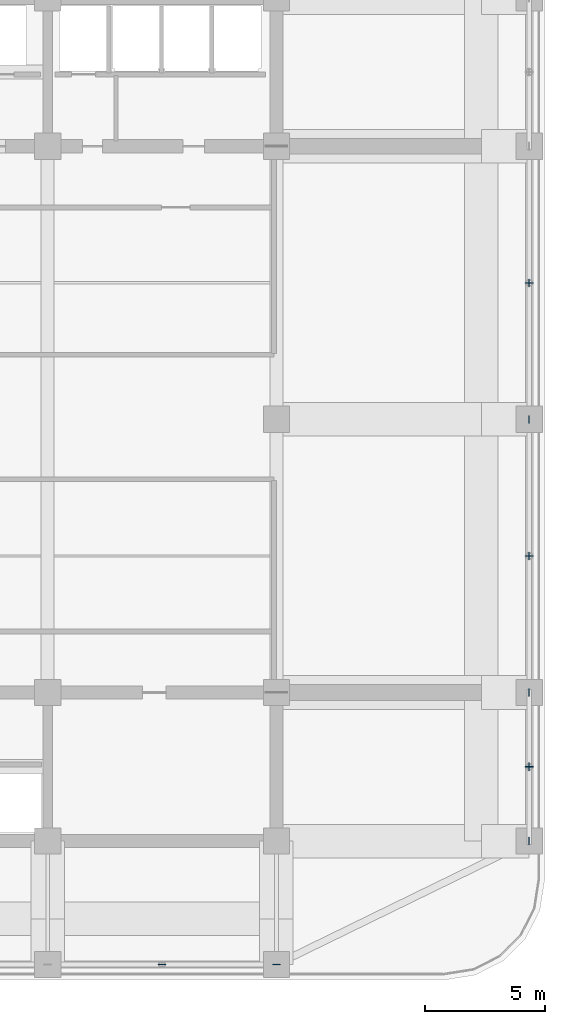
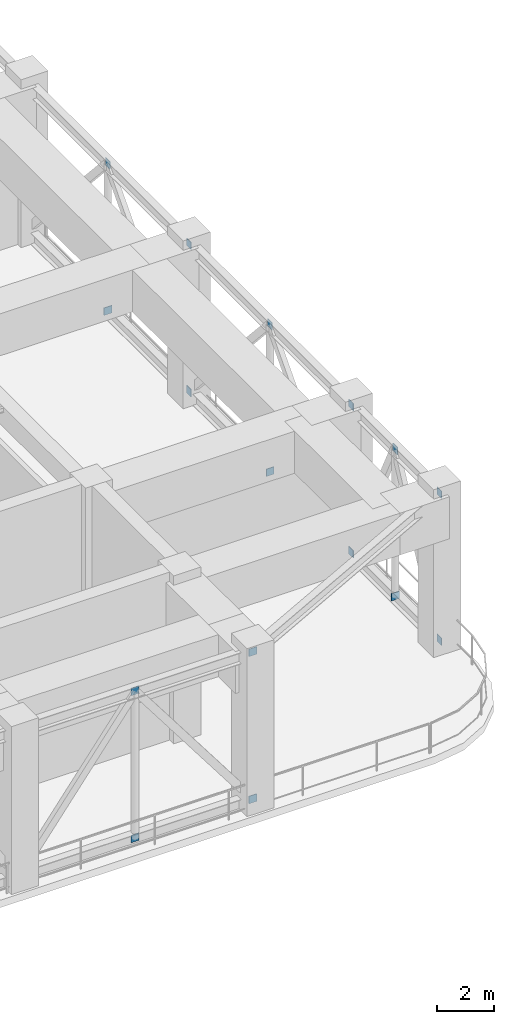
# One storey, part 15 of 20: 16 discrete accessories.
"""IFC4 building model written with IfcOpenShell, lengths in metres."""

from ifc_helpers import new_model, si_unit, direction, frame, origin, origin_2d, place, context, subcontext, project, spatial, rectangle, extrude, material, layer, layer_set, type_object, element, save


model = new_model("IFC4")

# Units and contexts
model_context = context("Model", 3, precision=1e-05, world=origin(), true_north=direction((0.0, 1.0)))
body_context = subcontext(model_context, "Body", "Model", "MODEL_VIEW")
ifc_project = project(units=[si_unit("LENGTHUNIT", "METRE"), si_unit("AREAUNIT", "SQUARE_METRE"), si_unit("VOLUMEUNIT", "CUBIC_METRE"), si_unit("PLANEANGLEUNIT", "RADIAN"), si_unit("MASSUNIT", "GRAM", prefix="KILO")], contexts=[model_context])

# Site, building, storey
site_placement = place(None, origin())
site = spatial("IfcSite", under=ifc_project, at=site_placement, CompositionType="ELEMENT")
building_placement = place(site_placement, origin())
building = spatial("IfcBuilding", under=site, at=building_placement, Name="Svetorya Sky Lyceum", CompositionType="ELEMENT")
storey_placement = place(building_placement, frame((0.0, 0.0, 136.39990234375)))
storey = spatial("IfcBuildingStorey", under=building, at=storey_placement, Name="L34", CompositionType="ELEMENT", Elevation=136.39990234375)

# Discrete accessories
ifc_material = material(Name="Steel S355", Category="steel")
ifc_layer = layer(ifc_material, 0.02392578125)
ifc_layer_set = layer_set([ifc_layer], Name="Steel S355")
discrete_accessory_type = type_object("IfcDiscreteAccessoryType", Name="ACC-GUSSET-24", PredefinedType="BRACKET", material=ifc_layer_set)
for number, where, z_axis, x_axis, name in (
    (1, (52.800048828125, 5.449951171875, 0.0859375), (0.0, 0.0, 1.0), (1.0, 0.0, 0.0), "L34 Brace Node Gusset Plate 75"),
    (2, (52.800048828125, 5.449951171875, 6.39404296875), (0.0, 0.0, 1.0), (1.0, 0.0, 0.0), "L34 Brace Node Gusset Plate 76"),
    (3, (48.02490234375, 5.449951171875, 6.39404296875), (0.0, 0.0, 1.0), (1.0, 0.0, 0.0), "L34 Brace Node Gusset Plate 77"),
    (4, (48.02490234375, 5.449951171875, 0.0859375), (0.0, 0.0, 1.0), (1.0, 0.0, 0.0), "L34 Brace Node Gusset Plate 78"),
):
    element("IfcDiscreteAccessory", number, at=place(storey_placement, frame(where, z_axis=z_axis, x_axis=x_axis)), inside=storey, type_object=discrete_accessory_type, Name=name, PredefinedType="BRACKET", context=body_context, shape_type="SweptSolid", body=[
        extrude(rectangle(XDim=0.320068359375, YDim=0.02392578125, at=origin_2d()), origin(), (0.0, 0.0, 1.0), 0.320068359375),
    ])
for number, where, z_axis, x_axis, name in (
    (5, (63.35009765625, 10.60009765625, 0.0859375), (0.0, 0.0, 1.0), (1.0, 0.0, 0.0), "L34 Brace Node Gusset Plate 111"),
    (6, (63.35009765625, 16.800048828125, 0.0859375), (0.0, 0.0, 1.0), (1.0, 0.0, 0.0), "L34 Brace Node Gusset Plate 112"),
    (7, (63.35009765625, 10.60009765625, 6.39404296875), (0.0, 0.0, 1.0), (1.0, 0.0, 0.0), "L34 Brace Node Gusset Plate 113"),
    (8, (63.35009765625, 16.800048828125, 6.39404296875), (0.0, 0.0, 1.0), (1.0, 0.0, 0.0), "L34 Brace Node Gusset Plate 114"),
    (9, (63.35009765625, 13.699951171875, 6.39404296875), (0.0, 0.0, 1.0), (1.0, 0.0, 0.0), "L34 Brace Node Gusset Plate 115"),
):
    element("IfcDiscreteAccessory", number, at=place(storey_placement, frame(where, z_axis=z_axis, x_axis=x_axis)), inside=storey, type_object=discrete_accessory_type, Name=name, PredefinedType="BRACKET", context=body_context, shape_type="SweptSolid", body=[
        extrude(rectangle(XDim=0.02392578125, YDim=0.320068359375, at=origin_2d()), origin(), (0.0, 0.0, 1.0), 0.320068359375),
    ])
discrete_accessory_1_placement = place(storey_placement, frame((63.35009765625, 13.699951171875, 0.0859375), z_axis=(0.0, 0.0, 1.0), x_axis=(1.0, 0.0, 0.0)))
element("IfcDiscreteAccessory", 10, at=discrete_accessory_1_placement, inside=storey, type_object=discrete_accessory_type, Name="L34 Brace Node Gusset Plate 116", PredefinedType="BRACKET", context=body_context, shape_type="SweptSolid", body=[
    extrude(rectangle(XDim=0.320068359375, YDim=0.02392578125, at=origin_2d()), origin(), (0.0, 0.0, 1.0), 0.320068359375),
])
for number, where, z_axis, x_axis, name in (
    (11, (63.35009765625, 28.199951171875, 0.0859375), (0.0, 0.0, 1.0), (1.0, 0.0, 0.0), "L34 Brace Node Gusset Plate 117"),
    (12, (63.35009765625, 28.199951171875, 6.39404296875), (0.0, 0.0, 1.0), (1.0, 0.0, 0.0), "L34 Brace Node Gusset Plate 118"),
    (13, (63.35009765625, 22.5, 6.39404296875), (0.0, 0.0, 1.0), (1.0, 0.0, 0.0), "L34 Brace Node Gusset Plate 119"),
):
    element("IfcDiscreteAccessory", number, at=place(storey_placement, frame(where, z_axis=z_axis, x_axis=x_axis)), inside=storey, type_object=discrete_accessory_type, Name=name, PredefinedType="BRACKET", context=body_context, shape_type="SweptSolid", body=[
        extrude(rectangle(XDim=0.02392578125, YDim=0.320068359375, at=origin_2d()), origin(), (0.0, 0.0, 1.0), 0.320068359375),
    ])
discrete_accessory_2_placement = place(storey_placement, frame((63.35009765625, 22.5, 0.0859375), z_axis=(0.0, 0.0, 1.0), x_axis=(1.0, 0.0, 0.0)))
element("IfcDiscreteAccessory", 14, at=discrete_accessory_2_placement, inside=storey, type_object=discrete_accessory_type, Name="L34 Brace Node Gusset Plate 120", PredefinedType="BRACKET", context=body_context, shape_type="SweptSolid", body=[
    extrude(rectangle(XDim=0.320068359375, YDim=0.02392578125, at=origin_2d()), origin(), (0.0, 0.0, 1.0), 0.320068359375),
])
discrete_accessory_3_placement = place(storey_placement, frame((63.35009765625, 33.89990234375, 6.39404296875), z_axis=(0.0, 0.0, 1.0), x_axis=(1.0, 0.0, 0.0)))
element("IfcDiscreteAccessory", 15, at=discrete_accessory_3_placement, inside=storey, type_object=discrete_accessory_type, Name="L34 Brace Node Gusset Plate 123", PredefinedType="BRACKET", context=body_context, shape_type="SweptSolid", body=[
    extrude(rectangle(XDim=0.02392578125, YDim=0.320068359375, at=origin_2d()), origin(), (0.0, 0.0, 1.0), 0.320068359375),
])
discrete_accessory_4_placement = place(storey_placement, frame((63.35009765625, 33.89990234375, 0.0859375), z_axis=(0.0, 0.0, 1.0), x_axis=(1.0, 0.0, 0.0)))
element("IfcDiscreteAccessory", 16, at=discrete_accessory_4_placement, inside=storey, type_object=discrete_accessory_type, Name="L34 Brace Node Gusset Plate 124", PredefinedType="BRACKET", context=body_context, shape_type="SweptSolid", body=[
    extrude(rectangle(XDim=0.320068359375, YDim=0.02392578125, at=origin_2d()), origin(), (0.0, 0.0, 1.0), 0.320068359375),
])

save(model, "model.ifc")
